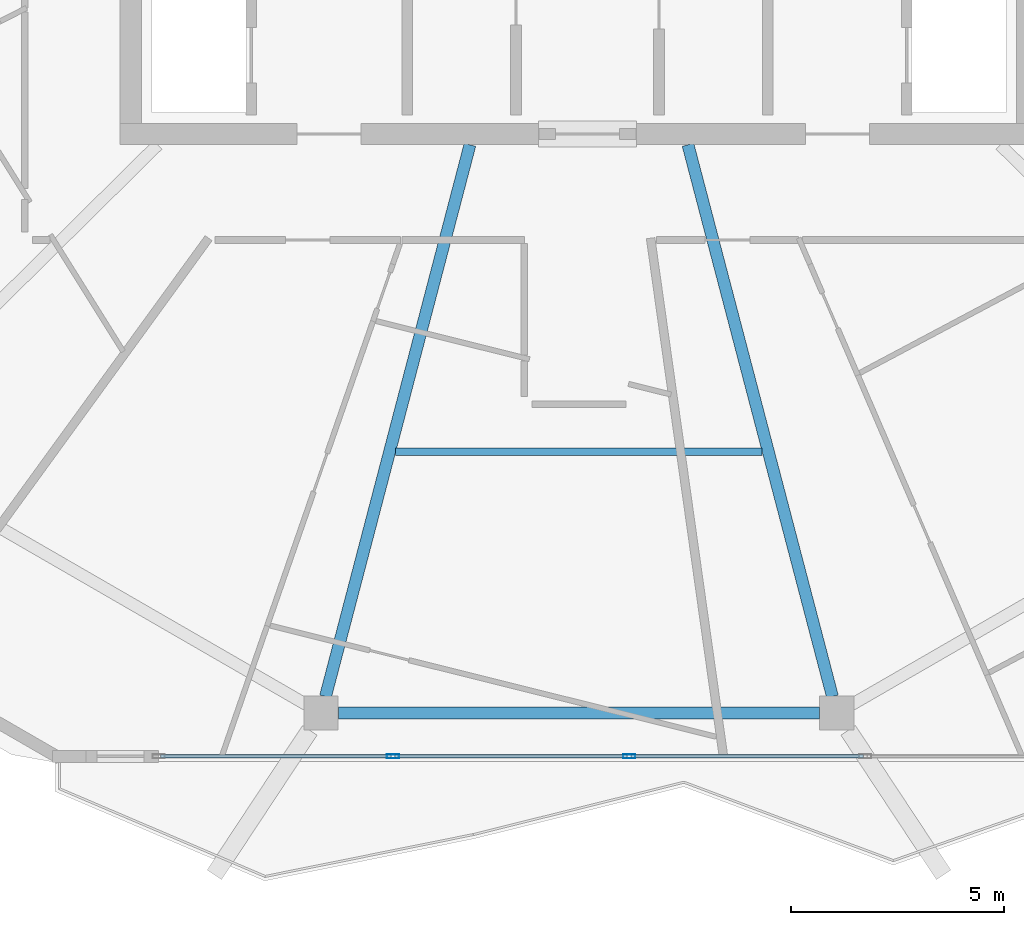
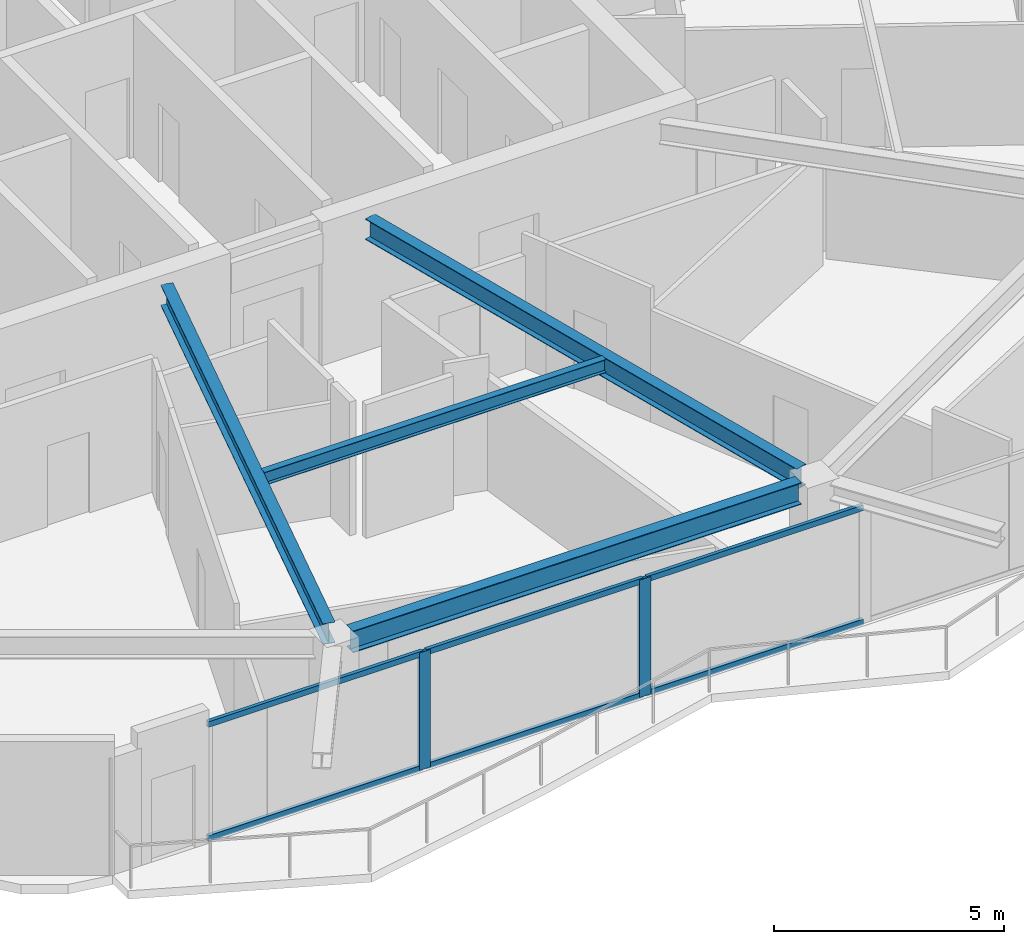
# One storey, part 3 of 20: 8 members, 4 beams, 1 element without a shape of its own.
"""IFC4 building model written with IfcOpenShell, lengths in metres."""

from ifc_helpers import new_model, si_unit, direction, frame, origin, origin_2d, place, context, subcontext, project, spatial, hollow_rectangle, i_section, extrude, material, material_profile, profile_set, type_object, element, aggregate, save


model = new_model("IFC4")

# Units and contexts
model_context = context("Model", 3, precision=1e-05, world=origin(), true_north=direction((0.0, 1.0)))
body_context = subcontext(model_context, "Body", "Model", "MODEL_VIEW")
ifc_project = project(units=[si_unit("LENGTHUNIT", "METRE"), si_unit("AREAUNIT", "SQUARE_METRE"), si_unit("VOLUMEUNIT", "CUBIC_METRE"), si_unit("PLANEANGLEUNIT", "RADIAN"), si_unit("MASSUNIT", "GRAM", prefix="KILO")], contexts=[model_context])

# Site, building, storey
site_placement = place(None, origin())
site = spatial("IfcSite", under=ifc_project, at=site_placement, CompositionType="ELEMENT")
building_placement = place(site_placement, origin())
building = spatial("IfcBuilding", under=site, at=building_placement, Name="Zuhravey Tower", CompositionType="ELEMENT")
storey_placement = place(building_placement, frame((0.0, 0.0, 312.0)))
storey = spatial("IfcBuildingStorey", under=building, at=storey_placement, Name="L79", CompositionType="ELEMENT", Elevation=312.0)

# Curtain wall, members
ifc_material_1 = material(Name="Thermally broken anodised aluminium", Category="aluminium")
curtain_wall_type = type_object("IfcCurtainWallType", Name="Zone 3-4 High-Rise Curtain Wall CW4", PredefinedType="NOTDEFINED", material=ifc_material_1)
curtain_wall_placement = place(storey_placement, origin())
curtain_wall = element("IfcCurtainWall", 1, at=curtain_wall_placement, inside=storey, type_object=curtain_wall_type, Name="L79 CW4 CW-L79-F5-1", PredefinedType="NOTDEFINED")
ifc_material_2 = material(Name="Anodised aluminium", Category="aluminium")
ifc_material_profile_1 = material_profile(ifc_material_2, hollow_rectangle(XDim=0.090087890625, YDim=0.284912109375, WallThickness=0.0048828125, at=origin_2d()), Name="ALU-RHS-90x285x5")
ifc_profile_set_1 = profile_set([ifc_material_profile_1], Name="Anodised aluminium")
member_type_1 = type_object("IfcMemberType", Name="Curtain-Wall Mullion 90x180", PredefinedType="MULLION", material=ifc_profile_set_1)
member_1_placement = place(storey_placement, frame((37.175048828125, 7.92578125, 0.0), z_axis=(0.0, 0.0, 1.0), x_axis=(0.0, -1.0, 0.0)))
member_1 = element("IfcMember", 2, at=member_1_placement, type_object=member_type_1, Name="CW4 mullion 3", PredefinedType="MULLION", context=body_context, shape_type="SweptSolid", body=[
    extrude(hollow_rectangle(XDim=0.090087890625, YDim=0.284912109375, WallThickness=0.0048828125, at=origin_2d()), origin(), (0.0, 0.0, 1.0), 3.1220703125),
])
member_2_placement = place(storey_placement, frame((31.642822265625, 7.92578125, 0.0), z_axis=(0.0, 0.0, 1.0), x_axis=(0.0, -1.0, 0.0)))
member_2 = element("IfcMember", 3, at=member_2_placement, type_object=member_type_1, Name="CW4 mullion 4", PredefinedType="MULLION", context=body_context, shape_type="SweptSolid", body=[
    extrude(hollow_rectangle(XDim=0.090087890625, YDim=0.284912109375, WallThickness=0.0048828125, at=origin_2d()), origin(), (0.0, 0.0, 1.0), 3.1220703125),
])
ifc_material_profile_2 = material_profile(ifc_material_2, hollow_rectangle(XDim=0.090087890625, YDim=0.14990234375, WallThickness=0.0048828125, at=origin_2d()), Name="ALU-RHS-90x150x5")
ifc_profile_set_2 = profile_set([ifc_material_profile_2], Name="Anodised aluminium")
member_type_2 = type_object("IfcMemberType", Name="Curtain-Wall Transom 90x150", PredefinedType="USERDEFINED", material=ifc_profile_set_2)
member_3_placement = place(storey_placement, frame((42.662109375, 7.92578125, 0.044921875), z_axis=(-1.0, 0.0, 0.0), x_axis=(0.0, -1.0, 0.0)))
member_3 = element("IfcMember", 4, at=member_3_placement, type_object=member_type_2, Name="CW4 transom 2.1", ObjectType="TRANSOM", PredefinedType="USERDEFINED", context=body_context, shape_type="SweptSolid", body=[
    extrude(hollow_rectangle(XDim=0.090087890625, YDim=0.14990234375, WallThickness=0.0048828125, at=origin_2d()), origin(), (0.0, 0.0, 1.0), 5.442138671875),
])
member_4_placement = place(storey_placement, frame((42.662109375, 7.92578125, 3.076904296875), z_axis=(-1.0, 0.0, 0.0), x_axis=(0.0, -1.0, 0.0)))
member_4 = element("IfcMember", 5, at=member_4_placement, type_object=member_type_2, Name="CW4 transom 2.2", ObjectType="TRANSOM", PredefinedType="USERDEFINED", context=body_context, shape_type="SweptSolid", body=[
    extrude(hollow_rectangle(XDim=0.090087890625, YDim=0.14990234375, WallThickness=0.0048828125, at=origin_2d()), origin(), (0.0, 0.0, 1.0), 5.442138671875),
])
member_5_placement = place(storey_placement, frame((37.1298828125, 7.92578125, 0.044921875), z_axis=(-1.0, 0.0, 0.0), x_axis=(0.0, -1.0, 0.0)))
member_5 = element("IfcMember", 6, at=member_5_placement, type_object=member_type_2, Name="CW4 transom 3.1", ObjectType="TRANSOM", PredefinedType="USERDEFINED", context=body_context, shape_type="SweptSolid", body=[
    extrude(hollow_rectangle(XDim=0.090087890625, YDim=0.14990234375, WallThickness=0.0048828125, at=origin_2d()), origin(), (0.0, 0.0, 1.0), 5.442138671875),
])
member_6_placement = place(storey_placement, frame((37.1298828125, 7.92578125, 3.076904296875), z_axis=(-1.0, 0.0, 0.0), x_axis=(0.0, -1.0, 0.0)))
member_6 = element("IfcMember", 7, at=member_6_placement, type_object=member_type_2, Name="CW4 transom 3.2", ObjectType="TRANSOM", PredefinedType="USERDEFINED", context=body_context, shape_type="SweptSolid", body=[
    extrude(hollow_rectangle(XDim=0.090087890625, YDim=0.14990234375, WallThickness=0.0048828125, at=origin_2d()), origin(), (0.0, 0.0, 1.0), 5.442138671875),
])
member_7_placement = place(storey_placement, frame((31.597900390625, 7.92578125, 0.044921875), z_axis=(-1.0, 0.0, 0.0), x_axis=(0.0, -1.0, 0.0)))
member_7 = element("IfcMember", 8, at=member_7_placement, type_object=member_type_2, Name="CW4 transom 4.1", ObjectType="TRANSOM", PredefinedType="USERDEFINED", context=body_context, shape_type="SweptSolid", body=[
    extrude(hollow_rectangle(XDim=0.090087890625, YDim=0.14990234375, WallThickness=0.0048828125, at=origin_2d()), origin(), (0.0, 0.0, 1.0), 5.397216796875),
])
member_8_placement = place(storey_placement, frame((31.597900390625, 7.92578125, 3.076904296875), z_axis=(-1.0, 0.0, 0.0), x_axis=(0.0, -1.0, 0.0)))
member_8 = element("IfcMember", 9, at=member_8_placement, type_object=member_type_2, Name="CW4 transom 4.2", ObjectType="TRANSOM", PredefinedType="USERDEFINED", context=body_context, shape_type="SweptSolid", body=[
    extrude(hollow_rectangle(XDim=0.090087890625, YDim=0.14990234375, WallThickness=0.0048828125, at=origin_2d()), origin(), (0.0, 0.0, 1.0), 5.397216796875),
])
aggregate(curtain_wall, [member_1, member_2, member_3, member_4, member_5, member_6, member_7, member_8])

# Beams
ifc_material_3 = material(Name="Steel SM355", Category="steel")
ifc_material_profile_3 = material_profile(ifc_material_3, i_section(OverallWidth=0.280029296875, OverallDepth=0.580078125, WebThickness=0.011962890625, FlangeThickness=0.01904296875, at=origin_2d()), Name="H-580x280x12x19")
ifc_profile_set_3 = profile_set([ifc_material_profile_3], Name="Steel SM355")
beam_type_1 = type_object("IfcBeamType", Name="Perimeter Ring Beam H580x280", PredefinedType="BEAM", material=ifc_profile_set_3)
beam_1_placement = place(storey_placement, frame((30.3642578125, 8.935791015625, 3.260009765625), z_axis=(1.0, 0.0, 0.0), x_axis=(0.0, 1.0, 0.0)))
element("IfcBeam", 10, at=beam_1_placement, inside=storey, type_object=beam_type_1, Name="L79 PB4 BM-L79-PB-09", PredefinedType="BEAM", context=body_context, shape_type="SweptSolid", body=[
    extrude(i_section(OverallWidth=0.280029296875, OverallDepth=0.580078125, WebThickness=0.011962890625, FlangeThickness=0.01904296875, at=origin_2d()), origin(), (0.0, 0.0, 1.0), 11.271484375),
])
ifc_material_profile_4 = material_profile(ifc_material_3, i_section(OverallWidth=0.280029296875, OverallDepth=0.550048828125, WebThickness=0.010986328125, FlangeThickness=0.01806640625, at=origin_2d()), Name="H-550x280x11x18")
ifc_profile_set_4 = profile_set([ifc_material_profile_4], Name="Steel SM355")
beam_type_2 = type_object("IfcBeamType", Name="Radial Primary Girder H550x280", PredefinedType="BEAM", material=ifc_profile_set_4)
for number, where, z_axis, x_axis, name in (
    (11, (33.446533203125, 22.2470703125, 3.27490234375), (-0.253281197106, -0.967392699576, 0.0), (0.967392699576, -0.253281197106, 0.0), "L79 RG4 BM-L79-RAD-09"),
    (12, (38.553466796875, 22.2470703125, 3.27490234375), (0.253281197106, -0.967392699576, 0.0), (0.967392699576, 0.253281197106, 0.0), "L79 RG4 BM-L79-RAD-10"),
):
    element("IfcBeam", number, at=place(storey_placement, frame(where, z_axis=z_axis, x_axis=x_axis)), inside=storey, type_object=beam_type_2, Name=name, PredefinedType="BEAM", context=body_context, shape_type="SweptSolid", body=[
        extrude(i_section(OverallWidth=0.280029296875, OverallDepth=0.550048828125, WebThickness=0.010986328125, FlangeThickness=0.01806640625, at=origin_2d()), origin(), (0.0, 0.0, 1.0), 13.35693359375),
    ])
ifc_material_profile_5 = material_profile(ifc_material_3, i_section(OverallWidth=0.175048828125, OverallDepth=0.35009765625, WebThickness=0.007080078125, FlangeThickness=0.010986328125, at=origin_2d()), Name="H-350x175x7x11")
ifc_profile_set_5 = profile_set([ifc_material_profile_5], Name="Steel SM355")
beam_type_3 = type_object("IfcBeamType", Name="Secondary Floor Joist H350x175", PredefinedType="JOIST", material=ifc_profile_set_5)
beam_2_placement = place(storey_placement, frame((31.70849609375, 15.05908203125, 3.375), z_axis=(1.0, 0.0, 0.0), x_axis=(0.0, 1.0, 0.0)))
element("IfcBeam", 13, at=beam_2_placement, inside=storey, type_object=beam_type_3, Name="L79 SJ3 BM-L79-SJ-09-1", PredefinedType="JOIST", context=body_context, shape_type="SweptSolid", body=[
    extrude(i_section(OverallWidth=0.175048828125, OverallDepth=0.35009765625, WebThickness=0.007080078125, FlangeThickness=0.010986328125, at=origin_2d()), origin(), (0.0, 0.0, 1.0), 8.5830078125),
])

save(model, "model.ifc")
